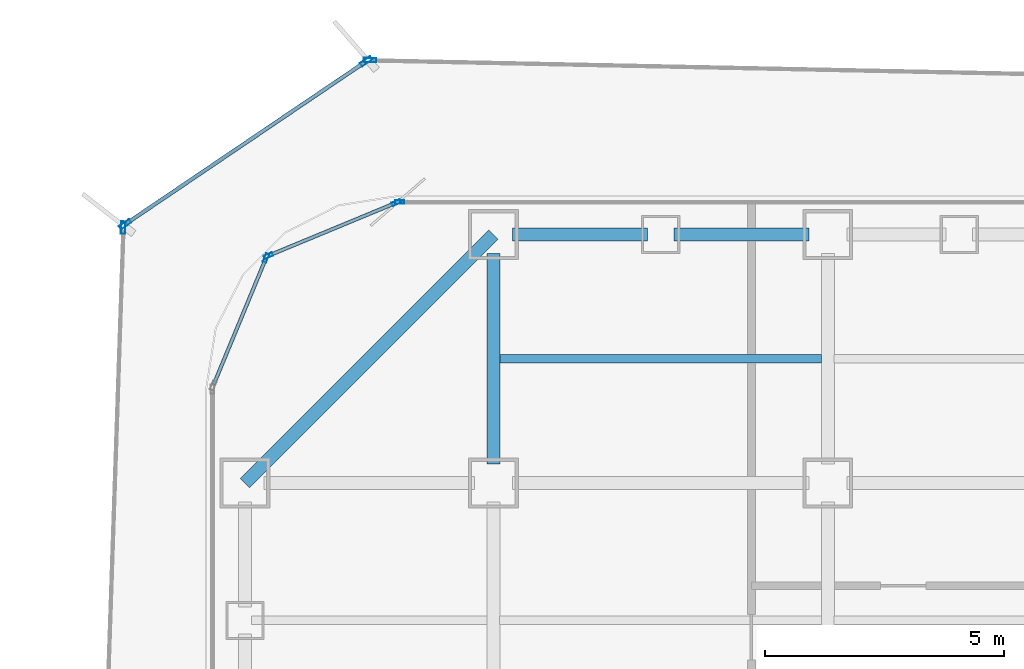
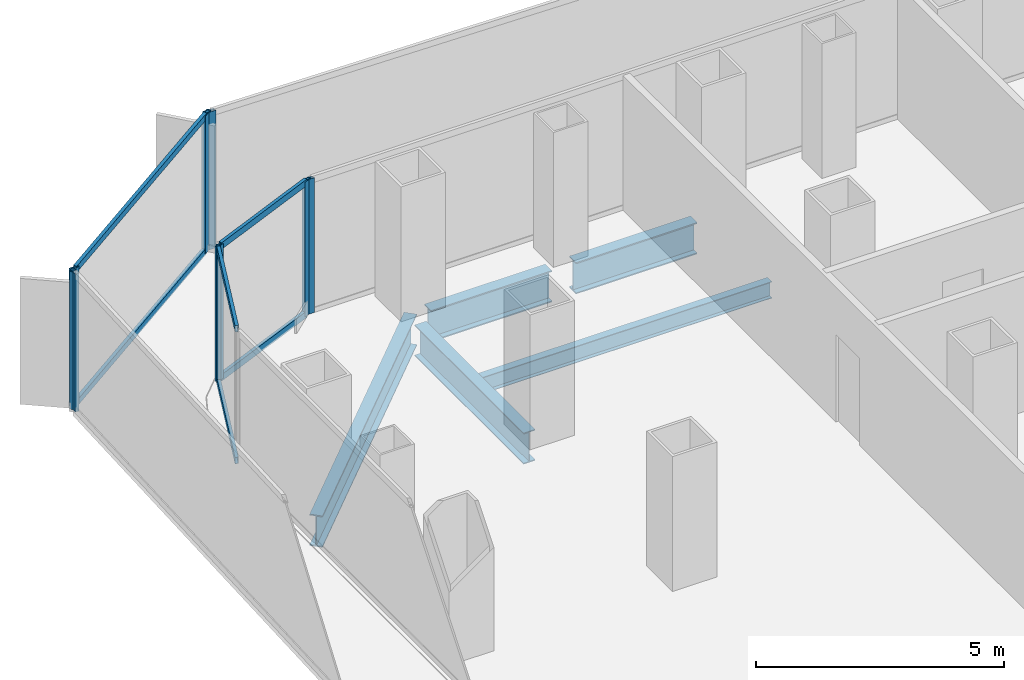
# One storey, part 11 of 21: 14 members, 5 beams, 6 elements without a shape of their own.
"""IFC4 building model written with IfcOpenShell, lengths in metres."""

from ifc_helpers import new_model, si_unit, direction, frame, origin, origin_2d, place, context, subcontext, project, spatial, hollow_rectangle, i_section, extrude, source, transform, mapped, material, layer, layer_set, material_profile, profile_set, type_object, element, aggregate, save


model = new_model("IFC4")

# Units and contexts
model_context = context("Model", 3, precision=1e-05, world=origin(), true_north=direction((0.0, 1.0)))
body_context = subcontext(model_context, "Body", "Model", "MODEL_VIEW")
ifc_project = project(units=[si_unit("LENGTHUNIT", "METRE"), si_unit("AREAUNIT", "SQUARE_METRE"), si_unit("VOLUMEUNIT", "CUBIC_METRE"), si_unit("PLANEANGLEUNIT", "RADIAN"), si_unit("MASSUNIT", "GRAM", prefix="KILO")], contexts=[model_context])

# Site, building, storey
site_placement = place(None, origin())
site = spatial("IfcSite", under=ifc_project, at=site_placement, CompositionType="ELEMENT")
building_placement = place(site_placement, origin())
building = spatial("IfcBuilding", under=site, at=building_placement, Name="Kolveth Station Tower", CompositionType="ELEMENT")
storey_placement = place(building_placement, frame((0.0, 0.0, 29.699951171875)))
storey = spatial("IfcBuildingStorey", under=building, at=storey_placement, Name="L07", CompositionType="ELEMENT", Elevation=29.699951171875)

# Beams
ifc_material_1 = material(Name="Steel S355", Category="steel")
ifc_material_profile_1 = material_profile(ifc_material_1, i_section(OverallWidth=0.26904296875, OverallDepth=0.77490234375, WebThickness=0.01708984375, FlangeThickness=0.0283203125, at=origin_2d()), Name="W760x220")
ifc_profile_set_1 = profile_set([ifc_material_profile_1], Name="Steel S355")
beam_type_1 = type_object("IfcBeamType", Name="Beam_SP1", PredefinedType="SPANDREL", material=ifc_profile_set_1)
shared_shape_1 = source(origin(), body_context, "Body", "SweptSolid", [
    extrude(i_section(OverallWidth=0.26904296875, OverallDepth=0.77490234375, WebThickness=0.01708984375, FlangeThickness=0.0283203125, at=origin_2d()), origin(), (0.0, 0.0, 1.0), 7.353759765625),
])
beam_1_placement = place(storey_placement, frame((6.0, 39.699951171875, -0.66748046875), z_axis=(-0.707106781187, -0.707106781187, 0.0), x_axis=(0.707106781187, -0.707106781187, 0.0)))
element("IfcBeam", 1, at=beam_1_placement, inside=storey, type_object=beam_type_1, Name="L07 Corner Edge Girder BM-L07-CNR-NW", PredefinedType="SPANDREL", context=body_context, shape_type="MappedRepresentation", body=[
    mapped(shared_shape_1, transform((0.0, 0.0, 0.0), x_axis=(1.0, 0.0, 0.0), y_axis=(0.0, 1.0, 0.0), z_axis=(0.0, 0.0, 1.0), scale=1.0)),
])
shared_shape_2 = source(origin(), body_context, "Body", "SweptSolid", [
    extrude(i_section(OverallWidth=0.26904296875, OverallDepth=0.77490234375, WebThickness=0.01708984375, FlangeThickness=0.0283203125, at=origin_2d()), origin(), (0.0, 0.0, 1.0), 2.820068359375),
])
for number, where, z_axis, x_axis, name in (
    (2, (6.39990234375, 39.699951171875, -0.66748046875), (1.0, 0.0, 0.0), (0.0, 1.0, 0.0), "L07 Perimeter Spandrel BM-L07-PN-1"),
    (3, (9.780029296875, 39.699951171875, -0.66748046875), (1.0, 0.0, 0.0), (0.0, 1.0, 0.0), "L07 Perimeter Spandrel BM-L07-PN-2"),
):
    element("IfcBeam", number, at=place(storey_placement, frame(where, z_axis=z_axis, x_axis=x_axis)), inside=storey, type_object=beam_type_1, Name=name, PredefinedType="SPANDREL", context=body_context, shape_type="MappedRepresentation", body=[
        mapped(shared_shape_2, transform((0.0, 0.0, 0.0), x_axis=(1.0, 0.0, 0.0), y_axis=(0.0, 1.0, 0.0), z_axis=(0.0, 0.0, 1.0), scale=1.0)),
    ])
ifc_material_profile_2 = material_profile(ifc_material_1, i_section(OverallWidth=0.26708984375, OverallDepth=0.76611328125, WebThickness=0.014892578125, FlangeThickness=0.023681640625, at=origin_2d()), Name="W760x185")
ifc_profile_set_2 = profile_set([ifc_material_profile_2], Name="Steel S355")
beam_type_2 = type_object("IfcBeamType", Name="Beam_B3", PredefinedType="BEAM", material=ifc_profile_set_2)
shared_shape_3 = source(origin(), body_context, "Body", "SweptSolid", [
    extrude(i_section(OverallWidth=0.26708984375, OverallDepth=0.76611328125, WebThickness=0.014892578125, FlangeThickness=0.023681640625, at=origin_2d()), origin(), (0.0, 0.0, 1.0), 4.400146484375),
])
beam_2_placement = place(storey_placement, frame((6.0, 34.89990234375, -0.662841796875), z_axis=(0.0, 1.0, 0.0), x_axis=(-1.0, 0.0, 0.0)))
element("IfcBeam", 4, at=beam_2_placement, inside=storey, type_object=beam_type_2, Name="L07 Primary Girder BM-L07-GX60-7", PredefinedType="BEAM", context=body_context, shape_type="MappedRepresentation", body=[
    mapped(shared_shape_3, transform((0.0, 0.0, 0.0), x_axis=(1.0, 0.0, 0.0), y_axis=(0.0, 1.0, 0.0), z_axis=(0.0, 0.0, 1.0), scale=1.0)),
])
ifc_material_profile_3 = material_profile(ifc_material_1, i_section(OverallWidth=0.177978515625, OverallDepth=0.406982421875, WebThickness=0.0078125, FlangeThickness=0.0126953125, at=origin_2d()), Name="W410x60")
ifc_profile_set_3 = profile_set([ifc_material_profile_3], Name="Steel S355")
beam_type_3 = type_object("IfcBeamType", Name="Beam_J1", PredefinedType="JOIST", material=ifc_profile_set_3)
shared_shape_4 = source(origin(), body_context, "Body", "SweptSolid", [
    extrude(i_section(OverallWidth=0.177978515625, OverallDepth=0.406982421875, WebThickness=0.0078125, FlangeThickness=0.0126953125, at=origin_2d()), origin(), (0.0, 0.0, 1.0), 6.73681640625),
])
beam_3_placement = place(storey_placement, frame((6.131591796875, 37.10009765625, -0.4833984375), z_axis=(1.0, 0.0, 0.0), x_axis=(0.0, 1.0, 0.0)))
element("IfcBeam", 5, at=beam_3_placement, inside=storey, type_object=beam_type_3, Name="L07 Secondary Joist JST-L07-2-7", PredefinedType="JOIST", context=body_context, shape_type="MappedRepresentation", body=[
    mapped(shared_shape_4, transform((0.0, 0.0, 0.0), x_axis=(1.0, 0.0, 0.0), y_axis=(0.0, 1.0, 0.0), z_axis=(0.0, 0.0, 1.0), scale=1.0)),
])

# Curtain wall, member
ifc_material_2 = material(Name="Aluminium 6063-T6 and low-E dark glass", Category="aluminium")
ifc_layer_1 = layer(ifc_material_2, 0.179931640625)
ifc_layer_set_1 = layer_set([ifc_layer_1], Name="Aluminium 6063-T6 and low-E dark glass")
curtain_wall_type_1 = type_object("IfcCurtainWallType", Name="CurtainWall_CW-Z1", PredefinedType="NOTDEFINED", material=ifc_layer_set_1)
curtain_wall_1_placement = place(storey_placement, origin())
curtain_wall_1 = element("IfcCurtainWall", 6, at=curtain_wall_1_placement, inside=storey, type_object=curtain_wall_type_1, Name="L07 Inner Thermal Curtain Wall 6", PredefinedType="NOTDEFINED")
ifc_material_3 = material(Name="Black anodized aluminium 6063-T6", Category="aluminium")
ifc_material_profile_4 = material_profile(ifc_material_3, hollow_rectangle(XDim=0.074951171875, YDim=0.18994140625, WallThickness=0.0048828125, at=origin_2d()), Name="ALU-75x190x5")
ifc_profile_set_4 = profile_set([ifc_material_profile_4], Name="Black anodized aluminium 6063-T6")
member_type_1 = type_object("IfcMemberType", Name="Mullion_ML1", PredefinedType="MULLION", material=ifc_profile_set_4)
shared_shape_5 = source(origin(), body_context, "Body", "SweptSolid", [
    extrude(hollow_rectangle(XDim=0.074951171875, YDim=0.18994140625, WallThickness=0.0048828125, at=origin_2d()), origin(), (0.0, 0.0, 1.0), 3.320068359375),
])
member_1_placement = place(storey_placement, frame((4.03759765625, 40.3798828125, 0.0), z_axis=(0.0, 0.0, 1.0), x_axis=(0.0, -1.0, 0.0)))
member_1 = element("IfcMember", 7, at=member_1_placement, type_object=member_type_1, Name="CW-Z1 mullion 3", PredefinedType="MULLION", context=body_context, shape_type="MappedRepresentation", body=[
    mapped(shared_shape_5, transform((0.0, 0.0, 0.0), x_axis=(1.0, 0.0, 0.0), y_axis=(0.0, 1.0, 0.0), z_axis=(0.0, 0.0, 1.0), scale=1.0)),
])
aggregate(curtain_wall_1, [member_1])

# Curtain wall, members
curtain_wall_2_placement = place(storey_placement, origin())
curtain_wall_2 = element("IfcCurtainWall", 8, at=curtain_wall_2_placement, inside=storey, type_object=curtain_wall_type_1, Name="L07 Inner Thermal Curtain Wall 7", PredefinedType="NOTDEFINED")
member_2_placement = place(storey_placement, frame((3.96533203125, 40.36572265625, 0.0), z_axis=(0.0, 0.0, 1.0), x_axis=(0.382672990201, -0.923883857728, 0.0)))
member_2 = element("IfcMember", 9, at=member_2_placement, type_object=member_type_1, Name="CW-Z1 mullion 1", PredefinedType="MULLION", context=body_context, shape_type="MappedRepresentation", body=[
    mapped(shared_shape_5, transform((0.0, 0.0, 0.0), x_axis=(1.0, 0.0, 0.0), y_axis=(0.0, 1.0, 0.0), z_axis=(0.0, 0.0, 1.0), scale=1.0)),
])
member_3_placement = place(storey_placement, frame((1.291015625, 39.258056640625, 0.0), z_axis=(0.0, 0.0, 1.0), x_axis=(0.382672990201, -0.923883857728, 0.0)))
member_3 = element("IfcMember", 10, at=member_3_placement, type_object=member_type_1, Name="CW-Z1 mullion 2", PredefinedType="MULLION", context=body_context, shape_type="MappedRepresentation", body=[
    mapped(shared_shape_5, transform((0.0, 0.0, 0.0), x_axis=(1.0, 0.0, 0.0), y_axis=(0.0, 1.0, 0.0), z_axis=(0.0, 0.0, 1.0), scale=1.0)),
])

# Curtain wall, member
curtain_wall_3_placement = place(storey_placement, origin())
curtain_wall_3 = element("IfcCurtainWall", 11, at=curtain_wall_3_placement, inside=storey, type_object=curtain_wall_type_1, Name="L07 Inner Thermal Curtain Wall 8", PredefinedType="NOTDEFINED")
member_4_placement = place(storey_placement, frame((1.241943359375, 39.208984375, 0.0), z_axis=(0.0, 0.0, 1.0), x_axis=(0.923883857728, -0.382672990201, 0.0)))
member_4 = element("IfcMember", 12, at=member_4_placement, type_object=member_type_1, Name="CW-Z1 mullion 1", PredefinedType="MULLION", context=body_context, shape_type="MappedRepresentation", body=[
    mapped(shared_shape_5, transform((0.0, 0.0, 0.0), x_axis=(1.0, 0.0, 0.0), y_axis=(0.0, 1.0, 0.0), z_axis=(0.0, 0.0, 1.0), scale=1.0)),
])

# Member
ifc_material_profile_5 = material_profile(ifc_material_3, hollow_rectangle(XDim=0.074951171875, YDim=0.159912109375, WallThickness=0.0048828125, at=origin_2d()), Name="ALU-75x160x5")
ifc_profile_set_5 = profile_set([ifc_material_profile_5], Name="Black anodized aluminium 6063-T6")
member_type_2 = type_object("IfcMemberType", Name="Transom_TR1", PredefinedType="USERDEFINED", material=ifc_profile_set_5)
shared_shape_6 = source(origin(), body_context, "Body", "SweptSolid", [
    extrude(hollow_rectangle(XDim=0.074951171875, YDim=0.159912109375, WallThickness=0.0048828125, at=origin_2d()), origin(), (0.0, 0.0, 1.0), 2.819580078125),
])
member_5_placement = place(storey_placement, frame((3.9306640625, 40.351318359375, 0.03759765625), z_axis=(-0.923869084389, -0.382708655389, 0.0), x_axis=(0.382708655389, -0.923869084389, 0.0)))
member_5 = element("IfcMember", 13, at=member_5_placement, type_object=member_type_2, Name="CW-Z1 transom 1.1", ObjectType="TRANSOM", PredefinedType="USERDEFINED", context=body_context, shape_type="MappedRepresentation", body=[
    mapped(shared_shape_6, transform((0.0, 0.0, 0.0), x_axis=(1.0, 0.0, 0.0), y_axis=(0.0, 1.0, 0.0), z_axis=(0.0, 0.0, 1.0), scale=1.0)),
])

member_6_placement = place(storey_placement, frame((3.9306640625, 40.351318359375, 3.282470703125), z_axis=(-0.923869084389, -0.382708655389, 0.0), x_axis=(0.382708655389, -0.923869084389, 0.0)))
member_6 = element("IfcMember", 14, at=member_6_placement, type_object=member_type_2, Name="CW-Z1 transom 1.2", ObjectType="TRANSOM", PredefinedType="USERDEFINED", context=body_context, shape_type="MappedRepresentation", body=[
    mapped(shared_shape_6, transform((0.0, 0.0, 0.0), x_axis=(1.0, 0.0, 0.0), y_axis=(0.0, 1.0, 0.0), z_axis=(0.0, 0.0, 1.0), scale=1.0)),
])

aggregate(curtain_wall_2, [member_2, member_3, member_5, member_6])

member_7_placement = place(storey_placement, frame((1.227783203125, 39.17431640625, 0.03759765625), z_axis=(-0.382708655389, -0.923869084389, 0.0), x_axis=(0.923869084389, -0.382708655389, 0.0)))
member_7 = element("IfcMember", 15, at=member_7_placement, type_object=member_type_2, Name="CW-Z1 transom 1.1", ObjectType="TRANSOM", PredefinedType="USERDEFINED", context=body_context, shape_type="MappedRepresentation", body=[
    mapped(shared_shape_6, transform((0.0, 0.0, 0.0), x_axis=(1.0, 0.0, 0.0), y_axis=(0.0, 1.0, 0.0), z_axis=(0.0, 0.0, 1.0), scale=1.0)),
])

member_8_placement = place(storey_placement, frame((1.227783203125, 39.17431640625, 3.282470703125), z_axis=(-0.382708655389, -0.923869084389, 0.0), x_axis=(0.923869084389, -0.382708655389, 0.0)))
member_8 = element("IfcMember", 16, at=member_8_placement, type_object=member_type_2, Name="CW-Z1 transom 1.2", ObjectType="TRANSOM", PredefinedType="USERDEFINED", context=body_context, shape_type="MappedRepresentation", body=[
    mapped(shared_shape_6, transform((0.0, 0.0, 0.0), x_axis=(1.0, 0.0, 0.0), y_axis=(0.0, 1.0, 0.0), z_axis=(0.0, 0.0, 1.0), scale=1.0)),
])

aggregate(curtain_wall_3, [member_4, member_7, member_8])

# Curtain wall, member
ifc_material_4 = material(Name="Black anodized aluminium 6063-T6 and dark solar glass", Category="aluminium")
ifc_layer_2 = layer(ifc_material_4, 0.159912109375)
ifc_layer_set_2 = layer_set([ifc_layer_2], Name="Black anodized aluminium 6063-T6 and dark solar glass")
curtain_wall_type_2 = type_object("IfcCurtainWallType", Name="OUTER SKIN CW-OS", PredefinedType="NOTDEFINED", material=ifc_layer_set_2)
curtain_wall_4_placement = place(storey_placement, origin())
curtain_wall_4 = element("IfcCurtainWall", 17, at=curtain_wall_4_placement, inside=storey, type_object=curtain_wall_type_2, Name="L07 Outer Ventilated Skin Curtain Wall 4", PredefinedType="NOTDEFINED")
ifc_material_profile_6 = material_profile(ifc_material_3, hollow_rectangle(XDim=0.090087890625, YDim=0.260009765625, WallThickness=0.0048828125, at=origin_2d()), Name="ALU-90x260x5")
ifc_profile_set_6 = profile_set([ifc_material_profile_6], Name="Black anodized aluminium 6063-T6")
member_type_3 = type_object("IfcMemberType", Name="FIN MULLION ML-OS", PredefinedType="MULLION", material=ifc_profile_set_6)
shared_shape_7 = source(origin(), body_context, "Body", "SweptSolid", [
    extrude(hollow_rectangle(XDim=0.090087890625, YDim=0.260009765625, WallThickness=0.0048828125, at=origin_2d()), origin(), (0.0, 0.0, 1.0), 3.39013671875),
])
member_9_placement = place(storey_placement, frame((3.418701171875, 43.35009765625, 0.0), z_axis=(0.0, 0.0, 1.0), x_axis=(-0.020605735172, -0.999787679299, 0.0)))
member_9 = element("IfcMember", 18, at=member_9_placement, type_object=member_type_3, Name="CW-OS mullion 2", PredefinedType="MULLION", context=body_context, shape_type="MappedRepresentation", body=[
    mapped(shared_shape_7, transform((0.0, 0.0, 0.0), x_axis=(1.0, 0.0, 0.0), y_axis=(0.0, 1.0, 0.0), z_axis=(0.0, 0.0, 1.0), scale=1.0)),
])
aggregate(curtain_wall_4, [member_9])

# Curtain wall, members
curtain_wall_5_placement = place(storey_placement, origin())
curtain_wall_5 = element("IfcCurtainWall", 19, at=curtain_wall_5_placement, inside=storey, type_object=curtain_wall_type_2, Name="L07 Outer Ventilated Skin Curtain Wall 5", PredefinedType="NOTDEFINED")
member_10_placement = place(storey_placement, frame((3.33642578125, 43.325927734375, 0.0), z_axis=(0.0, 0.0, 1.0), x_axis=(0.56012817032, -0.828405958944, 0.0)))
member_10 = element("IfcMember", 20, at=member_10_placement, type_object=member_type_3, Name="CW-OS mullion 1", PredefinedType="MULLION", context=body_context, shape_type="MappedRepresentation", body=[
    mapped(shared_shape_7, transform((0.0, 0.0, 0.0), x_axis=(1.0, 0.0, 0.0), y_axis=(0.0, 1.0, 0.0), z_axis=(0.0, 0.0, 1.0), scale=1.0)),
])
member_11_placement = place(storey_placement, frame((-1.709228515625, 39.914306640625, 0.0), z_axis=(0.0, 0.0, 1.0), x_axis=(0.56012817032, -0.828405958944, 0.0)))
member_11 = element("IfcMember", 21, at=member_11_placement, type_object=member_type_3, Name="CW-OS mullion 2", PredefinedType="MULLION", context=body_context, shape_type="MappedRepresentation", body=[
    mapped(shared_shape_7, transform((0.0, 0.0, 0.0), x_axis=(1.0, 0.0, 0.0), y_axis=(0.0, 1.0, 0.0), z_axis=(0.0, 0.0, 1.0), scale=1.0)),
])

# Curtain wall, member
curtain_wall_6_placement = place(storey_placement, origin())
curtain_wall_6 = element("IfcCurtainWall", 22, at=curtain_wall_6_placement, inside=storey, type_object=curtain_wall_type_2, Name="L07 Outer Ventilated Skin Curtain Wall 6", PredefinedType="NOTDEFINED")
member_12_placement = place(storey_placement, frame((-1.748046875, 39.843994140625, 0.0), z_axis=(0.0, 0.0, 1.0), x_axis=(0.999431087392, -0.033726866954, 0.0)))
member_12 = element("IfcMember", 23, at=member_12_placement, type_object=member_type_3, Name="CW-OS mullion 1", PredefinedType="MULLION", context=body_context, shape_type="MappedRepresentation", body=[
    mapped(shared_shape_7, transform((0.0, 0.0, 0.0), x_axis=(1.0, 0.0, 0.0), y_axis=(0.0, 1.0, 0.0), z_axis=(0.0, 0.0, 1.0), scale=1.0)),
])
aggregate(curtain_wall_6, [member_12])

# Member
ifc_material_profile_7 = material_profile(ifc_material_3, hollow_rectangle(XDim=0.080078125, YDim=0.14990234375, WallThickness=0.0048828125, at=origin_2d()), Name="ALU-80x150x5")
ifc_profile_set_7 = profile_set([ifc_material_profile_7], Name="Black anodized aluminium 6063-T6")
member_type_4 = type_object("IfcMemberType", Name="Transom_TR-OS", PredefinedType="USERDEFINED", material=ifc_profile_set_7)
shared_shape_8 = source(origin(), body_context, "Body", "SweptSolid", [
    extrude(hollow_rectangle(XDim=0.080078125, YDim=0.14990234375, WallThickness=0.0048828125, at=origin_2d()), origin(), (0.0, 0.0, 1.0), 6.0009765625),
])
member_13_placement = place(storey_placement, frame((3.299072265625, 43.30078125, 0.0400390625), z_axis=(-0.828402234468, -0.560133678624, 0.0), x_axis=(0.560133678624, -0.828402234468, 0.0)))
member_13 = element("IfcMember", 24, at=member_13_placement, type_object=member_type_4, Name="CW-OS transom 1.1", ObjectType="TRANSOM", PredefinedType="USERDEFINED", context=body_context, shape_type="MappedRepresentation", body=[
    mapped(shared_shape_8, transform((0.0, 0.0, 0.0), x_axis=(1.0, 0.0, 0.0), y_axis=(0.0, 1.0, 0.0), z_axis=(0.0, 0.0, 1.0), scale=1.0)),
])

member_14_placement = place(storey_placement, frame((3.299072265625, 43.30078125, 3.35009765625), z_axis=(-0.828402234468, -0.560133678624, 0.0), x_axis=(0.560133678624, -0.828402234468, 0.0)))
member_14 = element("IfcMember", 25, at=member_14_placement, type_object=member_type_4, Name="CW-OS transom 1.2", ObjectType="TRANSOM", PredefinedType="USERDEFINED", context=body_context, shape_type="MappedRepresentation", body=[
    mapped(shared_shape_8, transform((0.0, 0.0, 0.0), x_axis=(1.0, 0.0, 0.0), y_axis=(0.0, 1.0, 0.0), z_axis=(0.0, 0.0, 1.0), scale=1.0)),
])

aggregate(curtain_wall_5, [member_10, member_11, member_13, member_14])

save(model, "model.ifc")
